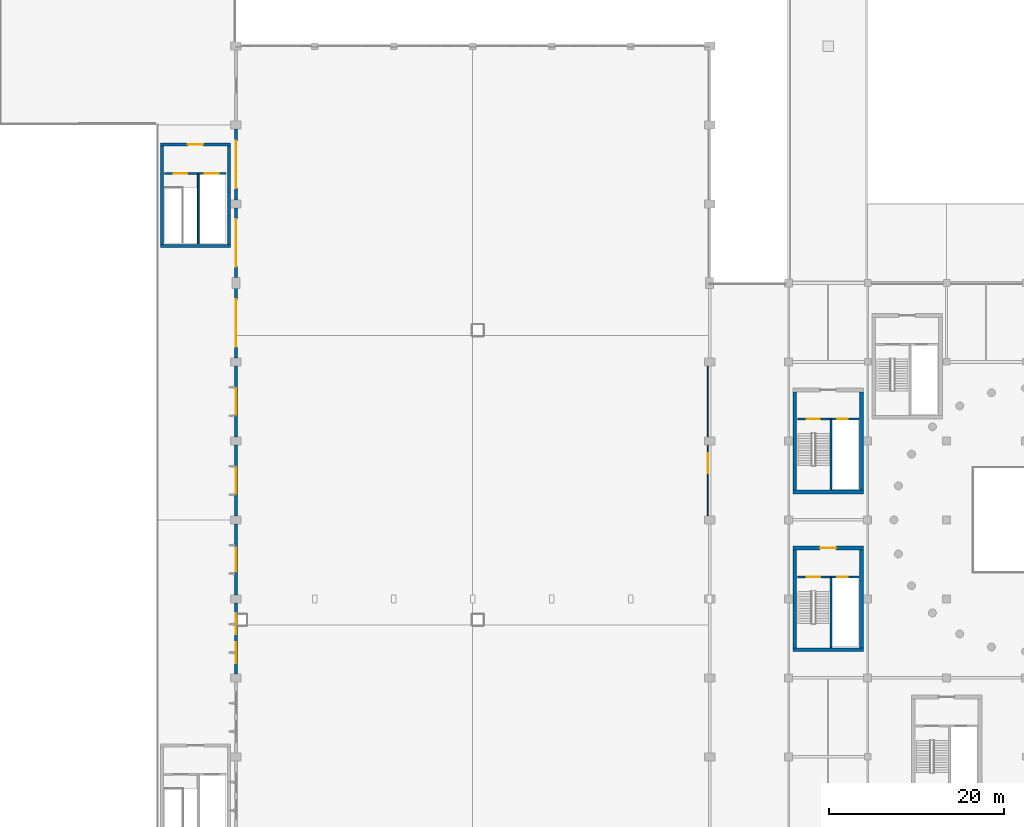
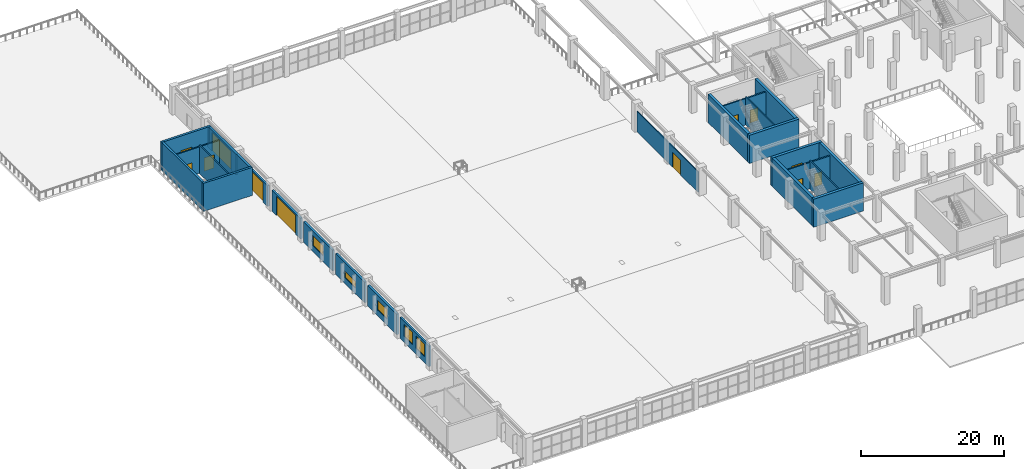
# One storey, part 62 of 89: 25 walls, 12 doors, 5 windows, 17 openings.
"""IFC4 building model written with IfcOpenShell, lengths in metres."""

from ifc_helpers import new_model, si_unit, direction, frame, frame_2d, origin, place, context, subcontext, project, spatial, rectangle, extrude, material, layer, layer_set, type_object, element, fill, save


model = new_model("IFC4")

# Units and contexts
model_context = context("Model", 3, precision=1e-05, world=origin(), true_north=direction((0.0, 1.0)))
body_context = subcontext(model_context, "Body", "Model", "MODEL_VIEW")
ifc_project = project(units=[si_unit("LENGTHUNIT", "METRE"), si_unit("AREAUNIT", "SQUARE_METRE"), si_unit("VOLUMEUNIT", "CUBIC_METRE"), si_unit("PLANEANGLEUNIT", "RADIAN"), si_unit("MASSUNIT", "GRAM", prefix="KILO")], contexts=[model_context])

# Site, building, storey
site_placement = place(None, origin())
site = spatial("IfcSite", under=ifc_project, at=site_placement, CompositionType="ELEMENT")
building_placement = place(site_placement, origin())
building = spatial("IfcBuilding", under=site, at=building_placement, Name="Dornveld Trade and Exhibition Forum", CompositionType="ELEMENT")
storey_placement = place(building_placement, frame((0.0, 0.0, 12.0)))
storey = spatial("IfcBuildingStorey", under=building, at=storey_placement, Name="L02", CompositionType="ELEMENT", Elevation=12.0)

# Wall
ifc_material_1 = material(Name="Concrete C40/50", Category="concrete")
ifc_layer_1 = layer(ifc_material_1, 0.35009765625)
ifc_layer_set_1 = layer_set([ifc_layer_1], Name="Concrete C40/50")
wall_type_1 = type_object("IfcWallType", Name="WL-CORE-350", PredefinedType="SHEAR", material=ifc_layer_set_1)
wall_1_placement = place(storey_placement, frame((18.425048828125, 112.199951171875, 0.0), z_axis=(0.0, 0.0, 1.0), x_axis=(1.0, 0.0, 0.0)))
element("IfcWall", 1, at=wall_1_placement, inside=storey, type_object=wall_type_1, Name="CORE-10 L02 shear wall S", PredefinedType="SHEAR", context=body_context, shape_type="SweptSolid", body=[
    extrude(rectangle(XDim=7.949951171875, YDim=0.35009765625, at=frame_2d((3.97509765625, 0.0))), origin(), (0.0, 0.0, 1.0), 4.800048828125),
])

# Wall, opening, door
wall_2_placement = place(storey_placement, frame((18.425048828125, 123.800048828125, 0.0), z_axis=(0.0, 0.0, 1.0), x_axis=(1.0, 0.0, 0.0)))
wall_2 = element("IfcWall", 2, at=wall_2_placement, inside=storey, type_object=wall_type_1, Name="CORE-10 L02 shear wall N", PredefinedType="SHEAR", context=body_context, shape_type="SweptSolid", body=[
    extrude(rectangle(XDim=7.949951171875, YDim=0.35009765625, at=frame_2d((3.97509765625, 0.0))), origin(), (0.0, 0.0, 1.0), 4.800048828125),
])
opening_1_placement = place(wall_2_placement, frame((3.10009765625, 0.0, 0.0)))
opening_1 = element("IfcOpeningElement", 3, at=opening_1_placement, cuts=wall_2, Name="Opening CD-10-L02", PredefinedType="OPENING", context=body_context, shape_type="SweptSolid", body=[
    extrude(rectangle(XDim=1.75, YDim=2.300048828125, at=frame_2d((0.875, 1.14990234375))), frame((0.0, 0.18505859375, 0.0), z_axis=(0.0, -1.0, 0.0), x_axis=(1.0, 0.0, 0.0)), (0.0, 0.0, 1.0), 0.3701171875),
])
ifc_material_2 = material(Name="Steel fire-rated double door assembly", Category="steel")
door_type_1 = type_object("IfcDoorType", Name="DR-CORE-175x230", OperationType="NOTDEFINED", PredefinedType="DOOR", material=ifc_material_2)
door_1_placement = place(opening_1_placement, origin())
door_1 = element("IfcDoor", 4, at=door_1_placement, inside=storey, type_object=door_type_1, Name="CORE-10 L02 core lobby double fire door", OperationType="DOUBLE_DOOR_SINGLE_SWING", OverallHeight=2.300048828125, OverallWidth=1.75, PredefinedType="DOOR", context=body_context, shape_type="SweptSolid", body=[
    extrude(rectangle(XDim=1.75, YDim=2.300048828125, at=frame_2d((0.875, 1.14990234375))), frame((0.0, 0.02490234375, 0.0), z_axis=(0.0, -1.0, 0.0), x_axis=(1.0, 0.0, 0.0)), (0.0, 0.0, 1.0), 0.050048828125),
])
fill(opening_1, door_1)

# Walls
for number, where, z_axis, x_axis, name in (
    (5, (18.60009765625, 112.375, 0.0), (0.0, 0.0, 1.0), (0.0, 1.0, 0.0), "CORE-10 L02 shear wall W"),
    (6, (26.199951171875, 112.375, 0.0), (0.0, 0.0, 1.0), (0.0, 1.0, 0.0), "CORE-10 L02 shear wall E"),
):
    element("IfcWall", number, at=place(storey_placement, frame(where, z_axis=z_axis, x_axis=x_axis)), inside=storey, type_object=wall_type_1, Name=name, PredefinedType="SHEAR", context=body_context, shape_type="SweptSolid", body=[
        extrude(rectangle(XDim=11.25, YDim=0.35009765625, at=frame_2d((5.625, 0.0))), origin(), (0.0, 0.0, 1.0), 4.800048828125),
    ])
ifc_material_3 = material(Name="Concrete C40/50", Category="concrete")
ifc_layer_2 = layer(ifc_material_3, 0.449951171875)
ifc_layer_set_2 = layer_set([ifc_layer_2], Name="Concrete C40/50")
wall_type_2 = type_object("IfcWallType", Name="WL-CORE-450", PredefinedType="SHEAR", material=ifc_layer_set_2)
wall_3_placement = place(storey_placement, frame((90.47509765625, 84.199951171875, 0.0), z_axis=(0.0, 0.0, 1.0), x_axis=(1.0, 0.0, 0.0)))
element("IfcWall", 7, at=wall_3_placement, inside=storey, type_object=wall_type_2, Name="CORE-04 L02 shear wall S", PredefinedType="SHEAR", context=body_context, shape_type="SweptSolid", body=[
    extrude(rectangle(XDim=8.0498046875, YDim=0.449951171875, at=frame_2d((4.02490234375, 0.0))), origin(), (0.0, 0.0, 1.0), 4.800048828125),
])
for number, where, z_axis, x_axis, name in (
    (8, (90.699951171875, 84.425048828125, 0.0), (0.0, 0.0, 1.0), (0.0, 1.0, 0.0), "CORE-04 L02 shear wall W"),
    (9, (98.300048828125, 84.425048828125, 0.0), (0.0, 0.0, 1.0), (0.0, 1.0, 0.0), "CORE-04 L02 shear wall E"),
):
    element("IfcWall", number, at=place(storey_placement, frame(where, z_axis=z_axis, x_axis=x_axis)), inside=storey, type_object=wall_type_2, Name=name, PredefinedType="SHEAR", context=body_context, shape_type="SweptSolid", body=[
        extrude(rectangle(XDim=11.14990234375, YDim=0.449951171875, at=frame_2d((5.574951171875, 0.0))), origin(), (0.0, 0.0, 1.0), 4.800048828125),
    ])
wall_4_placement = place(storey_placement, frame((90.47509765625, 66.199951171875, 0.0), z_axis=(0.0, 0.0, 1.0), x_axis=(1.0, 0.0, 0.0)))
element("IfcWall", 10, at=wall_4_placement, inside=storey, type_object=wall_type_2, Name="CORE-05 L02 shear wall S", PredefinedType="SHEAR", context=body_context, shape_type="SweptSolid", body=[
    extrude(rectangle(XDim=8.0498046875, YDim=0.449951171875, at=frame_2d((4.02490234375, 0.0))), origin(), (0.0, 0.0, 1.0), 4.800048828125),
])

# Wall, opening, door
wall_5_placement = place(storey_placement, frame((90.47509765625, 77.800048828125, 0.0), z_axis=(0.0, 0.0, 1.0), x_axis=(1.0, 0.0, 0.0)))
wall_5 = element("IfcWall", 11, at=wall_5_placement, inside=storey, type_object=wall_type_2, Name="CORE-05 L02 shear wall N", PredefinedType="SHEAR", context=body_context, shape_type="SweptSolid", body=[
    extrude(rectangle(XDim=8.0498046875, YDim=0.449951171875, at=frame_2d((4.02490234375, 0.0))), origin(), (0.0, 0.0, 1.0), 4.800048828125),
])
opening_2_placement = place(wall_5_placement, frame((3.125, 0.0, 0.0)))
opening_2 = element("IfcOpeningElement", 12, at=opening_2_placement, cuts=wall_5, Name="Opening CD-05-L02", PredefinedType="OPENING", context=body_context, shape_type="SweptSolid", body=[
    extrude(rectangle(XDim=1.800048828125, YDim=2.300048828125, at=frame_2d((0.89990234375, 1.14990234375))), frame((0.0, 0.23486328125, 0.0), z_axis=(0.0, -1.0, 0.0), x_axis=(1.0, 0.0, 0.0)), (0.0, 0.0, 1.0), 0.469970703125),
])
ifc_material_4 = material(Name="Steel fire-rated double door assembly", Category="steel")
door_type_2 = type_object("IfcDoorType", Name="DR-CORE-180x230", OperationType="NOTDEFINED", PredefinedType="DOOR", material=ifc_material_4)
door_2_placement = place(opening_2_placement, origin())
door_2 = element("IfcDoor", 13, at=door_2_placement, inside=storey, type_object=door_type_2, Name="CORE-05 L02 core lobby double fire door", OperationType="DOUBLE_DOOR_SINGLE_SWING", OverallHeight=2.300048828125, OverallWidth=1.800048828125, PredefinedType="DOOR", context=body_context, shape_type="SweptSolid", body=[
    extrude(rectangle(XDim=1.800048828125, YDim=2.300048828125, at=frame_2d((0.89990234375, 1.14990234375))), frame((0.0, 0.02490234375, 0.0), z_axis=(0.0, -1.0, 0.0), x_axis=(1.0, 0.0, 0.0)), (0.0, 0.0, 1.0), 0.050048828125),
])
fill(opening_2, door_2)

# Walls
for number, where, z_axis, x_axis, name in (
    (14, (90.699951171875, 66.425048828125, 0.0), (0.0, 0.0, 1.0), (0.0, 1.0, 0.0), "CORE-05 L02 shear wall W"),
    (15, (98.300048828125, 66.425048828125, 0.0), (0.0, 0.0, 1.0), (0.0, 1.0, 0.0), "CORE-05 L02 shear wall E"),
):
    element("IfcWall", number, at=place(storey_placement, frame(where, z_axis=z_axis, x_axis=x_axis)), inside=storey, type_object=wall_type_2, Name=name, PredefinedType="SHEAR", context=body_context, shape_type="SweptSolid", body=[
        extrude(rectangle(XDim=11.14990234375, YDim=0.449951171875, at=frame_2d((5.574951171875, 0.0))), origin(), (0.0, 0.0, 1.0), 4.800048828125),
    ])

# Wall, openings, windows
ifc_material_5 = material(Name="Precast concrete C50/60", Category="concrete")
ifc_layer_3 = layer(ifc_material_5, 0.340087890625)
ifc_layer_set_3 = layer_set([ifc_layer_3], Name="Precast concrete C50/60")
wall_type_3 = type_object("IfcWallType", Name="WL-EXT-PC340", PredefinedType="SOLIDWALL", material=ifc_layer_set_3)
wall_6_placement = place(storey_placement, frame((27.0, 71.550537109375, 0.0), z_axis=(0.0, 0.0, 1.0), x_axis=(0.0, -1.0, 0.0)))
wall_6 = element("IfcWall", 16, at=wall_6_placement, inside=storey, type_object=wall_type_3, Name="L02 precast facade wall 50", PredefinedType="SOLIDWALL", context=body_context, shape_type="SweptSolid", body=[
    extrude(rectangle(XDim=8.10107421875, YDim=0.340087890625, at=frame_2d((4.050537109375, 0.0))), origin(), (0.0, 0.0, 1.0), 3.5400390625),
])
opening_3_placement = place(wall_6_placement, frame((1.200439453125, 0.0, 1.0)))
opening_3 = element("IfcOpeningElement", 17, at=opening_3_placement, cuts=wall_6, Name="Opening W-34", PredefinedType="OPENING", context=body_context, shape_type="SweptSolid", body=[
    extrude(rectangle(XDim=2.39990234375, YDim=2.10009765625, at=frame_2d((1.199951171875, 1.050048828125))), frame((0.0, 0.179931640625, 0.0), z_axis=(0.0, -1.0, 0.0), x_axis=(1.0, 0.0, 0.0)), (0.0, 0.0, 1.0), 0.360107421875),
])
opening_4_placement = place(wall_6_placement, frame((4.50048828125, 0.0, 1.0)))
opening_4 = element("IfcOpeningElement", 18, at=opening_4_placement, cuts=wall_6, Name="Opening W-34", PredefinedType="OPENING", context=body_context, shape_type="SweptSolid", body=[
    extrude(rectangle(XDim=2.39990234375, YDim=2.10009765625, at=frame_2d((1.199951171875, 1.050048828125))), frame((0.0, 0.179931640625, 0.0), z_axis=(0.0, -1.0, 0.0), x_axis=(1.0, 0.0, 0.0)), (0.0, 0.0, 1.0), 0.360107421875),
])
ifc_material_6 = material(Name="Dark-bronze anodised aluminium and low-E glass", Category="aluminium")
window_type_1 = type_object("IfcWindowType", Name="WIN-AL-34", PartitioningType="DOUBLE_PANEL_VERTICAL", PredefinedType="WINDOW", material=ifc_material_6)
window_1_placement = place(opening_3_placement, origin())
window_1 = element("IfcWindow", 19, at=window_1_placement, inside=storey, type_object=window_type_1, Name="L02 facade window 34", OverallHeight=2.10009765625, OverallWidth=2.39990234375, PartitioningType="SINGLE_PANEL", PredefinedType="WINDOW", context=body_context, shape_type="SweptSolid", body=[
    extrude(rectangle(XDim=2.39990234375, YDim=2.10009765625, at=frame_2d((1.199951171875, 1.050048828125))), frame((0.0, 0.030029296875, 0.0), z_axis=(0.0, -1.0, 0.0), x_axis=(1.0, 0.0, 0.0)), (0.0, 0.0, 1.0), 0.06005859375),
])
fill(opening_3, window_1)
window_2_placement = place(opening_4_placement, origin())
window_2 = element("IfcWindow", 20, at=window_2_placement, inside=storey, type_object=window_type_1, Name="L02 facade window 35", OverallHeight=2.10009765625, OverallWidth=2.39990234375, PartitioningType="SINGLE_PANEL", PredefinedType="WINDOW", context=body_context, shape_type="SweptSolid", body=[
    extrude(rectangle(XDim=2.39990234375, YDim=2.10009765625, at=frame_2d((1.199951171875, 1.050048828125))), frame((0.0, 0.030029296875, 0.0), z_axis=(0.0, -1.0, 0.0), x_axis=(1.0, 0.0, 0.0)), (0.0, 0.0, 1.0), 0.06005859375),
])
fill(opening_4, window_2)

# Wall, opening, window
wall_7_placement = place(storey_placement, frame((27.0, 80.550537109375, 0.0), z_axis=(0.0, 0.0, 1.0), x_axis=(0.0, -1.0, 0.0)))
wall_7 = element("IfcWall", 21, at=wall_7_placement, inside=storey, type_object=wall_type_3, Name="L02 precast facade wall 54", PredefinedType="SOLIDWALL", context=body_context, shape_type="SweptSolid", body=[
    extrude(rectangle(XDim=8.10107421875, YDim=0.340087890625, at=frame_2d((4.050537109375, 0.0))), origin(), (0.0, 0.0, 1.0), 3.5400390625),
])
opening_5_placement = place(wall_7_placement, frame((2.700439453125, 0.0, 1.0)))
opening_5 = element("IfcOpeningElement", 22, at=opening_5_placement, cuts=wall_7, Name="Opening W-39", PredefinedType="OPENING", context=body_context, shape_type="SweptSolid", body=[
    extrude(rectangle(XDim=2.699951171875, YDim=1.699951171875, at=frame_2d((1.35009765625, 0.85009765625))), frame((0.0, 0.179931640625, 0.0), z_axis=(0.0, -1.0, 0.0), x_axis=(1.0, 0.0, 0.0)), (0.0, 0.0, 1.0), 0.360107421875),
])
ifc_material_7 = material(Name="Dark-bronze anodised aluminium and low-E glass", Category="aluminium")
window_type_2 = type_object("IfcWindowType", Name="WIN-AL-39", PartitioningType="DOUBLE_PANEL_VERTICAL", PredefinedType="WINDOW", material=ifc_material_7)
window_3_placement = place(opening_5_placement, origin())
window_3 = element("IfcWindow", 23, at=window_3_placement, inside=storey, type_object=window_type_2, Name="L02 facade window 39", OverallHeight=1.699951171875, OverallWidth=2.699951171875, PartitioningType="SINGLE_PANEL", PredefinedType="WINDOW", context=body_context, shape_type="SweptSolid", body=[
    extrude(rectangle(XDim=2.699951171875, YDim=1.699951171875, at=frame_2d((1.35009765625, 0.85009765625))), frame((0.0, 0.030029296875, 0.0), z_axis=(0.0, -1.0, 0.0), x_axis=(1.0, 0.0, 0.0)), (0.0, 0.0, 1.0), 0.06005859375),
])
fill(opening_5, window_3)

wall_8_placement = place(storey_placement, frame((27.0, 89.550537109375, 0.0), z_axis=(0.0, 0.0, 1.0), x_axis=(0.0, -1.0, 0.0)))
wall_8 = element("IfcWall", 24, at=wall_8_placement, inside=storey, type_object=wall_type_3, Name="L02 precast facade wall 58", PredefinedType="SOLIDWALL", context=body_context, shape_type="SweptSolid", body=[
    extrude(rectangle(XDim=8.10107421875, YDim=0.340087890625, at=frame_2d((4.050537109375, 0.0))), origin(), (0.0, 0.0, 1.0), 3.5400390625),
])
opening_6_placement = place(wall_8_placement, frame((2.550537109375, 0.0, 1.0)))
opening_6 = element("IfcOpeningElement", 25, at=opening_6_placement, cuts=wall_8, Name="Opening W-43", PredefinedType="OPENING", context=body_context, shape_type="SweptSolid", body=[
    extrude(rectangle(XDim=3.0, YDim=1.10009765625, at=frame_2d((1.5, 0.550048828125))), frame((0.0, 0.179931640625, 0.0), z_axis=(0.0, -1.0, 0.0), x_axis=(1.0, 0.0, 0.0)), (0.0, 0.0, 1.0), 0.360107421875),
])
ifc_material_8 = material(Name="Dark-bronze anodised aluminium and low-E glass", Category="aluminium")
window_type_3 = type_object("IfcWindowType", Name="WIN-AL-43", PartitioningType="DOUBLE_PANEL_VERTICAL", PredefinedType="WINDOW", material=ifc_material_8)
window_4_placement = place(opening_6_placement, origin())
window_4 = element("IfcWindow", 26, at=window_4_placement, inside=storey, type_object=window_type_3, Name="L02 facade window 43", OverallHeight=1.10009765625, OverallWidth=3.0, PartitioningType="SINGLE_PANEL", PredefinedType="WINDOW", context=body_context, shape_type="SweptSolid", body=[
    extrude(rectangle(XDim=3.0, YDim=1.10009765625, at=frame_2d((1.5, 0.550048828125))), frame((0.0, 0.030029296875, 0.0), z_axis=(0.0, -1.0, 0.0), x_axis=(1.0, 0.0, 0.0)), (0.0, 0.0, 1.0), 0.06005859375),
])
fill(opening_6, window_4)

wall_9_placement = place(storey_placement, frame((27.0, 98.550537109375, 0.0), z_axis=(0.0, 0.0, 1.0), x_axis=(0.0, -1.0, 0.0)))
wall_9 = element("IfcWall", 27, at=wall_9_placement, inside=storey, type_object=wall_type_3, Name="L02 precast facade wall 62", PredefinedType="SOLIDWALL", context=body_context, shape_type="SweptSolid", body=[
    extrude(rectangle(XDim=8.10107421875, YDim=0.340087890625, at=frame_2d((4.050537109375, 0.0))), origin(), (0.0, 0.0, 1.0), 3.5400390625),
])
opening_7_placement = place(wall_9_placement, frame((2.550537109375, 0.0, 1.0)))
opening_7 = element("IfcOpeningElement", 28, at=opening_7_placement, cuts=wall_9, Name="Opening W-46", PredefinedType="OPENING", context=body_context, shape_type="SweptSolid", body=[
    extrude(rectangle(XDim=3.0, YDim=1.699951171875, at=frame_2d((1.5, 0.85009765625))), frame((0.0, 0.179931640625, 0.0), z_axis=(0.0, -1.0, 0.0), x_axis=(1.0, 0.0, 0.0)), (0.0, 0.0, 1.0), 0.360107421875),
])
ifc_material_9 = material(Name="Dark-bronze anodised aluminium and low-E glass", Category="aluminium")
window_type_4 = type_object("IfcWindowType", Name="WIN-AL-46", PartitioningType="DOUBLE_PANEL_VERTICAL", PredefinedType="WINDOW", material=ifc_material_9)
window_5_placement = place(opening_7_placement, origin())
window_5 = element("IfcWindow", 29, at=window_5_placement, inside=storey, type_object=window_type_4, Name="L02 facade window 46", OverallHeight=1.699951171875, OverallWidth=3.0, PartitioningType="SINGLE_PANEL", PredefinedType="WINDOW", context=body_context, shape_type="SweptSolid", body=[
    extrude(rectangle(XDim=3.0, YDim=1.699951171875, at=frame_2d((1.5, 0.85009765625))), frame((0.0, 0.030029296875, 0.0), z_axis=(0.0, -1.0, 0.0), x_axis=(1.0, 0.0, 0.0)), (0.0, 0.0, 1.0), 0.06005859375),
])
fill(opening_7, window_5)

# Wall, opening, door
wall_10_placement = place(storey_placement, frame((27.0, 107.400390625, 0.0), z_axis=(0.0, 0.0, 1.0), x_axis=(0.0, -1.0, 0.0)))
wall_10 = element("IfcWall", 30, at=wall_10_placement, inside=storey, type_object=wall_type_3, Name="L02 precast facade wall 66", PredefinedType="SOLIDWALL", context=body_context, shape_type="SweptSolid", body=[
    extrude(rectangle(XDim=7.950927734375, YDim=0.340087890625, at=frame_2d((3.9755859375, 0.0))), origin(), (0.0, 0.0, 1.0), 3.5400390625),
])
opening_8_placement = place(wall_10_placement, frame((1.275390625, 0.0, 0.0)))
opening_8 = element("IfcOpeningElement", 31, at=opening_8_placement, cuts=wall_10, Name="Opening VG-03", PredefinedType="OPENING", context=body_context, shape_type="SweptSolid", body=[
    extrude(rectangle(XDim=5.39990234375, YDim=3.2900390625, at=frame_2d((2.699951171875, 1.64501953125))), frame((0.0, 0.179931640625, 0.0), z_axis=(0.0, -1.0, 0.0), x_axis=(1.0, 0.0, 0.0)), (0.0, 0.0, 1.0), 0.360107421875),
])
ifc_material_10 = material(Name="Galvanised insulated steel", Category="steel")
door_type_3 = type_object("IfcDoorType", Name="DR-GATE-540x440", OperationType="NOTDEFINED", PredefinedType="GATE", material=ifc_material_10)
door_3_placement = place(opening_8_placement, frame((5.39990234375, 0.0, 0.0), z_axis=(0.0, 0.0, 1.0), x_axis=(-1.0, 0.0, 0.0)))
door_3 = element("IfcDoor", 32, at=door_3_placement, inside=storey, type_object=door_type_3, Name="Heavy vehicle roller-shutter gate VG-03", OperationType="ROLLINGUP", OverallHeight=3.2900390625, OverallWidth=5.39990234375, PredefinedType="GATE", context=body_context, shape_type="SweptSolid", body=[
    extrude(rectangle(XDim=5.39990234375, YDim=3.2900390625, at=frame_2d((2.699951171875, 1.64501953125))), frame((0.0, 0.02490234375, 0.0), z_axis=(0.0, -1.0, 0.0), x_axis=(1.0, 0.0, 0.0)), (0.0, 0.0, 1.0), 0.050048828125),
])
fill(opening_8, door_3)

wall_11_placement = place(storey_placement, frame((27.0, 116.550537109375, 0.0), z_axis=(0.0, 0.0, 1.0), x_axis=(0.0, -1.0, 0.0)))
wall_11 = element("IfcWall", 33, at=wall_11_placement, inside=storey, type_object=wall_type_3, Name="L02 precast facade wall 70", PredefinedType="SOLIDWALL", context=body_context, shape_type="SweptSolid", body=[
    extrude(rectangle(XDim=7.950927734375, YDim=0.340087890625, at=frame_2d((3.9755859375, 0.0))), origin(), (0.0, 0.0, 1.0), 3.5400390625),
])
opening_9_placement = place(wall_11_placement, frame((1.275390625, 0.0, 0.0)))
opening_9 = element("IfcOpeningElement", 34, at=opening_9_placement, cuts=wall_11, Name="Opening VG-04", PredefinedType="OPENING", context=body_context, shape_type="SweptSolid", body=[
    extrude(rectangle(XDim=5.39990234375, YDim=3.2900390625, at=frame_2d((2.699951171875, 1.64501953125))), frame((0.0, 0.179931640625, 0.0), z_axis=(0.0, -1.0, 0.0), x_axis=(1.0, 0.0, 0.0)), (0.0, 0.0, 1.0), 0.360107421875),
])
door_4_placement = place(opening_9_placement, frame((5.39990234375, 0.0, 0.0), z_axis=(0.0, 0.0, 1.0), x_axis=(-1.0, 0.0, 0.0)))
door_4 = element("IfcDoor", 35, at=door_4_placement, inside=storey, type_object=door_type_3, Name="Heavy vehicle roller-shutter gate VG-04", OperationType="ROLLINGUP", OverallHeight=3.2900390625, OverallWidth=5.39990234375, PredefinedType="GATE", context=body_context, shape_type="SweptSolid", body=[
    extrude(rectangle(XDim=5.39990234375, YDim=3.2900390625, at=frame_2d((2.699951171875, 1.64501953125))), frame((0.0, 0.02490234375, 0.0), z_axis=(0.0, -1.0, 0.0), x_axis=(1.0, 0.0, 0.0)), (0.0, 0.0, 1.0), 0.050048828125),
])
fill(opening_9, door_4)

wall_12_placement = place(storey_placement, frame((27.0, 125.550537109375, 0.0), z_axis=(0.0, 0.0, 1.0), x_axis=(0.0, -1.0, 0.0)))
wall_12 = element("IfcWall", 36, at=wall_12_placement, inside=storey, type_object=wall_type_3, Name="L02 precast facade wall 74", PredefinedType="SOLIDWALL", context=body_context, shape_type="SweptSolid", body=[
    extrude(rectangle(XDim=8.10107421875, YDim=0.340087890625, at=frame_2d((4.050537109375, 0.0))), origin(), (0.0, 0.0, 1.0), 3.5400390625),
])
opening_10_placement = place(wall_12_placement, frame((1.3505859375, 0.0, 0.0)))
opening_10 = element("IfcOpeningElement", 37, at=opening_10_placement, cuts=wall_12, Name="Opening VG-05", PredefinedType="OPENING", context=body_context, shape_type="SweptSolid", body=[
    extrude(rectangle(XDim=5.39990234375, YDim=3.2900390625, at=frame_2d((2.699951171875, 1.64501953125))), frame((0.0, 0.179931640625, 0.0), z_axis=(0.0, -1.0, 0.0), x_axis=(1.0, 0.0, 0.0)), (0.0, 0.0, 1.0), 0.360107421875),
])
door_5_placement = place(opening_10_placement, frame((5.39990234375, 0.0, 0.0), z_axis=(0.0, 0.0, 1.0), x_axis=(-1.0, 0.0, 0.0)))
door_5 = element("IfcDoor", 38, at=door_5_placement, inside=storey, type_object=door_type_3, Name="Heavy vehicle roller-shutter gate VG-05", OperationType="ROLLINGUP", OverallHeight=3.2900390625, OverallWidth=5.39990234375, PredefinedType="GATE", context=body_context, shape_type="SweptSolid", body=[
    extrude(rectangle(XDim=5.39990234375, YDim=3.2900390625, at=frame_2d((2.699951171875, 1.64501953125))), frame((0.0, 0.02490234375, 0.0), z_axis=(0.0, -1.0, 0.0), x_axis=(1.0, 0.0, 0.0)), (0.0, 0.0, 1.0), 0.050048828125),
])
fill(opening_10, door_5)

# Wall, openings, doors
ifc_material_11 = material(Name="Concrete C40/50", Category="concrete")
ifc_layer_4 = layer(ifc_material_11, 0.219970703125)
ifc_layer_set_4 = layer_set([ifc_layer_4], Name="Concrete C40/50")
wall_type_4 = type_object("IfcWallType", Name="WL-INT-LOB220", PredefinedType="SOLIDWALL", material=ifc_layer_set_4)
wall_13_placement = place(storey_placement, frame((91.0, 92.5, 0.0), z_axis=(0.0, 0.0, 1.0), x_axis=(1.0, 0.0, 0.0)))
wall_13 = element("IfcWall", 39, at=wall_13_placement, inside=storey, type_object=wall_type_4, Name="CORE-04 L02 protected lobby bulkhead wall", PredefinedType="SOLIDWALL", context=body_context, shape_type="SweptSolid", body=[
    extrude(rectangle(XDim=7.0, YDim=0.219970703125, at=frame_2d((3.5, 0.0))), origin(), (0.0, 0.0, 1.0), 4.5),
])
opening_11_placement = place(wall_13_placement, frame((1.050048828125, 0.0, 0.0)))
opening_11 = element("IfcOpeningElement", 40, at=opening_11_placement, cuts=wall_13, Name="Opening SD-04-L02", PredefinedType="OPENING", context=body_context, shape_type="SweptSolid", body=[
    extrude(rectangle(XDim=1.5, YDim=2.199951171875, at=frame_2d((0.75, 1.10009765625))), frame((0.0, 0.119873046875, 0.0), z_axis=(0.0, -1.0, 0.0), x_axis=(1.0, 0.0, 0.0)), (0.0, 0.0, 1.0), 0.239990234375),
])
opening_12_placement = place(wall_13_placement, frame((4.550048828125, 0.0, 0.0)))
opening_12 = element("IfcOpeningElement", 41, at=opening_12_placement, cuts=wall_13, Name="Opening LD-04-L02", PredefinedType="OPENING", context=body_context, shape_type="SweptSolid", body=[
    extrude(rectangle(XDim=1.199951171875, YDim=2.199951171875, at=frame_2d((0.60009765625, 1.10009765625))), frame((0.0, 0.119873046875, 0.0), z_axis=(0.0, -1.0, 0.0), x_axis=(1.0, 0.0, 0.0)), (0.0, 0.0, 1.0), 0.239990234375),
])
ifc_material_12 = material(Name="Brushed stainless steel sliding lift landing door", Category="steel")
door_type_4 = type_object("IfcDoorType", Name="DR-LIFT-120x220", OperationType="NOTDEFINED", PredefinedType="DOOR", material=ifc_material_12)
door_6_placement = place(opening_12_placement, origin())
door_6 = element("IfcDoor", 42, at=door_6_placement, inside=storey, type_object=door_type_4, Name="CORE-04 L02 lift sliding landing door", OperationType="SLIDING_TO_RIGHT", OverallHeight=2.199951171875, OverallWidth=1.199951171875, PredefinedType="DOOR", context=body_context, shape_type="SweptSolid", body=[
    extrude(rectangle(XDim=1.199951171875, YDim=2.199951171875, at=frame_2d((0.60009765625, 1.10009765625))), frame((0.0, 0.02490234375, 0.0), z_axis=(0.0, -1.0, 0.0), x_axis=(1.0, 0.0, 0.0)), (0.0, 0.0, 1.0), 0.050048828125),
])
fill(opening_12, door_6)
ifc_material_13 = material(Name="Steel fire-rated stair door assembly", Category="steel")
door_type_5 = type_object("IfcDoorType", Name="DR-STAIR-150x220", OperationType="NOTDEFINED", PredefinedType="DOOR", material=ifc_material_13)
door_7_placement = place(opening_11_placement, origin())
door_7 = element("IfcDoor", 43, at=door_7_placement, inside=storey, type_object=door_type_5, Name="CORE-04 L02 protected stair door", OperationType="SINGLE_SWING_RIGHT", OverallHeight=2.199951171875, OverallWidth=1.5, PredefinedType="DOOR", context=body_context, shape_type="SweptSolid", body=[
    extrude(rectangle(XDim=1.5, YDim=2.199951171875, at=frame_2d((0.75, 1.10009765625))), frame((0.0, 0.02490234375, 0.0), z_axis=(0.0, -1.0, 0.0), x_axis=(1.0, 0.0, 0.0)), (0.0, 0.0, 1.0), 0.050048828125),
])
fill(opening_11, door_7)

wall_14_placement = place(storey_placement, frame((91.0, 74.5, 0.0), z_axis=(0.0, 0.0, 1.0), x_axis=(1.0, 0.0, 0.0)))
wall_14 = element("IfcWall", 44, at=wall_14_placement, inside=storey, type_object=wall_type_4, Name="CORE-05 L02 protected lobby bulkhead wall", PredefinedType="SOLIDWALL", context=body_context, shape_type="SweptSolid", body=[
    extrude(rectangle(XDim=7.0, YDim=0.219970703125, at=frame_2d((3.5, 0.0))), origin(), (0.0, 0.0, 1.0), 4.5),
])
opening_13_placement = place(wall_14_placement, frame((1.050048828125, 0.0, 0.0)))
opening_13 = element("IfcOpeningElement", 45, at=opening_13_placement, cuts=wall_14, Name="Opening SD-05-L02", PredefinedType="OPENING", context=body_context, shape_type="SweptSolid", body=[
    extrude(rectangle(XDim=1.550048828125, YDim=2.199951171875, at=frame_2d((0.77490234375, 1.10009765625))), frame((0.0, 0.119873046875, 0.0), z_axis=(0.0, -1.0, 0.0), x_axis=(1.0, 0.0, 0.0)), (0.0, 0.0, 1.0), 0.239990234375),
])
opening_14_placement = place(wall_14_placement, frame((4.550048828125, 0.0, 0.0)))
opening_14 = element("IfcOpeningElement", 46, at=opening_14_placement, cuts=wall_14, Name="Opening LD-05-L02", PredefinedType="OPENING", context=body_context, shape_type="SweptSolid", body=[
    extrude(rectangle(XDim=1.199951171875, YDim=2.199951171875, at=frame_2d((0.60009765625, 1.10009765625))), frame((0.0, 0.119873046875, 0.0), z_axis=(0.0, -1.0, 0.0), x_axis=(1.0, 0.0, 0.0)), (0.0, 0.0, 1.0), 0.239990234375),
])
door_8_placement = place(opening_14_placement, origin())
door_8 = element("IfcDoor", 47, at=door_8_placement, inside=storey, type_object=door_type_4, Name="CORE-05 L02 lift sliding landing door", OperationType="SLIDING_TO_LEFT", OverallHeight=2.199951171875, OverallWidth=1.199951171875, PredefinedType="DOOR", context=body_context, shape_type="SweptSolid", body=[
    extrude(rectangle(XDim=1.199951171875, YDim=2.199951171875, at=frame_2d((0.60009765625, 1.10009765625))), frame((0.0, 0.02490234375, 0.0), z_axis=(0.0, -1.0, 0.0), x_axis=(1.0, 0.0, 0.0)), (0.0, 0.0, 1.0), 0.050048828125),
])
fill(opening_14, door_8)
ifc_material_14 = material(Name="Steel fire-rated stair door assembly", Category="steel")
door_type_6 = type_object("IfcDoorType", Name="DR-STAIR-155x220", OperationType="NOTDEFINED", PredefinedType="DOOR", material=ifc_material_14)
door_9_placement = place(opening_13_placement, origin())
door_9 = element("IfcDoor", 48, at=door_9_placement, inside=storey, type_object=door_type_6, Name="CORE-05 L02 protected stair door", OperationType="SINGLE_SWING_LEFT", OverallHeight=2.199951171875, OverallWidth=1.550048828125, PredefinedType="DOOR", context=body_context, shape_type="SweptSolid", body=[
    extrude(rectangle(XDim=1.550048828125, YDim=2.199951171875, at=frame_2d((0.77490234375, 1.10009765625))), frame((0.0, 0.02490234375, 0.0), z_axis=(0.0, -1.0, 0.0), x_axis=(1.0, 0.0, 0.0)), (0.0, 0.0, 1.0), 0.050048828125),
])
fill(opening_13, door_9)

wall_15_placement = place(storey_placement, frame((18.89990234375, 120.5, 0.0), z_axis=(0.0, 0.0, 1.0), x_axis=(1.0, 0.0, 0.0)))
wall_15 = element("IfcWall", 49, at=wall_15_placement, inside=storey, type_object=wall_type_4, Name="CORE-10 L02 protected lobby bulkhead wall", PredefinedType="SOLIDWALL", context=body_context, shape_type="SweptSolid", body=[
    extrude(rectangle(XDim=7.0, YDim=0.219970703125, at=frame_2d((3.5, 0.0))), origin(), (0.0, 0.0, 1.0), 4.5),
])
opening_15_placement = place(wall_15_placement, frame((1.050048828125, 0.0, 0.0)))
opening_15 = element("IfcOpeningElement", 50, at=opening_15_placement, cuts=wall_15, Name="Opening SD-10-L02", PredefinedType="OPENING", context=body_context, shape_type="SweptSolid", body=[
    extrude(rectangle(XDim=1.5, YDim=2.199951171875, at=frame_2d((0.75, 1.10009765625))), frame((0.0, 0.119873046875, 0.0), z_axis=(0.0, -1.0, 0.0), x_axis=(1.0, 0.0, 0.0)), (0.0, 0.0, 1.0), 0.239990234375),
])
opening_16_placement = place(wall_15_placement, frame((4.550048828125, 0.0, 0.0)))
opening_16 = element("IfcOpeningElement", 51, at=opening_16_placement, cuts=wall_15, Name="Opening LD-10-L02", PredefinedType="OPENING", context=body_context, shape_type="SweptSolid", body=[
    extrude(rectangle(XDim=1.60009765625, YDim=2.300048828125, at=frame_2d((0.800048828125, 1.14990234375))), frame((0.0, 0.119873046875, 0.0), z_axis=(0.0, -1.0, 0.0), x_axis=(1.0, 0.0, 0.0)), (0.0, 0.0, 1.0), 0.239990234375),
])
ifc_material_15 = material(Name="Heavy-duty steel sliding freight lift landing door", Category="steel")
door_type_7 = type_object("IfcDoorType", Name="DR-LIFT-160x230", OperationType="NOTDEFINED", PredefinedType="DOOR", material=ifc_material_15)
door_10_placement = place(opening_16_placement, origin())
door_10 = element("IfcDoor", 52, at=door_10_placement, inside=storey, type_object=door_type_7, Name="CORE-10 L02 lift sliding landing door", OperationType="SLIDING_TO_RIGHT", OverallHeight=2.300048828125, OverallWidth=1.60009765625, PredefinedType="DOOR", context=body_context, shape_type="SweptSolid", body=[
    extrude(rectangle(XDim=1.60009765625, YDim=2.300048828125, at=frame_2d((0.800048828125, 1.14990234375))), frame((0.0, 0.02490234375, 0.0), z_axis=(0.0, -1.0, 0.0), x_axis=(1.0, 0.0, 0.0)), (0.0, 0.0, 1.0), 0.050048828125),
])
fill(opening_16, door_10)
door_11_placement = place(opening_15_placement, origin())
door_11 = element("IfcDoor", 53, at=door_11_placement, inside=storey, type_object=door_type_5, Name="CORE-10 L02 protected stair door", OperationType="SINGLE_SWING_RIGHT", OverallHeight=2.199951171875, OverallWidth=1.5, PredefinedType="DOOR", context=body_context, shape_type="SweptSolid", body=[
    extrude(rectangle(XDim=1.5, YDim=2.199951171875, at=frame_2d((0.75, 1.10009765625))), frame((0.0, 0.02490234375, 0.0), z_axis=(0.0, -1.0, 0.0), x_axis=(1.0, 0.0, 0.0)), (0.0, 0.0, 1.0), 0.050048828125),
])
fill(opening_15, door_11)

# Walls
ifc_material_16 = material(Name="Concrete C40/50", Category="concrete")
ifc_layer_5 = layer(ifc_material_16, 0.199951171875)
ifc_layer_set_5 = layer_set([ifc_layer_5], Name="Concrete C40/50")
wall_type_5 = type_object("IfcWallType", Name="WL-INT-SHAFT200", PredefinedType="SOLIDWALL", material=ifc_layer_set_5)
for number, where, z_axis, x_axis, name in (
    (54, (94.820068359375, 84.449951171875, 0.0), (0.0, 0.0, 1.0), (0.0, 1.0, 0.0), "CORE-04 L02 lift-stair structural shaft wall"),
    (55, (94.820068359375, 66.449951171875, 0.0), (0.0, 0.0, 1.0), (0.0, 1.0, 0.0), "CORE-05 L02 lift-stair structural shaft wall"),
    (56, (22.719970703125, 112.449951171875, 0.0), (0.0, 0.0, 1.0), (0.0, 1.0, 0.0), "CORE-10 L02 lift-stair structural shaft wall"),
):
    element("IfcWall", number, at=place(storey_placement, frame(where, z_axis=z_axis, x_axis=x_axis)), inside=storey, type_object=wall_type_5, Name=name, PredefinedType="SOLIDWALL", context=body_context, shape_type="SweptSolid", body=[
        extrude(rectangle(XDim=8.0, YDim=0.199951171875, at=frame_2d((4.0, 0.0))), origin(), (0.0, 0.0, 1.0), 4.800048828125),
    ])

# Wall, opening, door
ifc_material_17 = material(Name="Steel-stud gypsum partition", Category="steel")
ifc_layer_6 = layer(ifc_material_17, 0.135009765625)
ifc_layer_set_6 = layer_set([ifc_layer_6], Name="Steel-stud gypsum partition")
wall_type_6 = type_object("IfcWallType", Name="WL-INT-ST135", PredefinedType="PARTITIONING", material=ifc_layer_set_6)
wall_16_placement = place(storey_placement, frame((80.800048828125, 81.47998046875, 0.0), z_axis=(0.0, 0.0, 1.0), x_axis=(0.0, 1.0, 0.0)))
wall_16 = element("IfcWall", 57, at=wall_16_placement, inside=storey, type_object=wall_type_6, Name="L02 interior partition 57", PredefinedType="PARTITIONING", context=body_context, shape_type="SweptSolid", body=[
    extrude(rectangle(XDim=17.0400390625, YDim=0.135009765625, at=frame_2d((8.52001953125, 0.0))), origin(), (0.0, 0.0, 1.0), 3.52001953125),
])
opening_17_placement = place(wall_16_placement, frame((4.81396484375, 0.0, 0.0)))
opening_17 = element("IfcOpeningElement", 58, at=opening_17_placement, cuts=wall_16, Name="Opening HD-03-037", PredefinedType="OPENING", context=body_context, shape_type="SweptSolid", body=[
    extrude(rectangle(XDim=2.300048828125, YDim=2.5, at=frame_2d((1.14990234375, 1.25))), frame((0.0, 0.077392578125, 0.0), z_axis=(0.0, -1.0, 0.0), x_axis=(1.0, 0.0, 0.0)), (0.0, 0.0, 1.0), 0.155029296875),
])
ifc_material_18 = material(Name="Acoustic steel exhibition double door", Category="steel")
door_type_8 = type_object("IfcDoorType", Name="DR-HALL-230x250", OperationType="NOTDEFINED", PredefinedType="DOOR", material=ifc_material_18)
door_12_placement = place(opening_17_placement, origin())
door_12 = element("IfcDoor", 59, at=door_12_placement, inside=storey, type_object=door_type_8, Name="L02 interior room door 37", OperationType="DOUBLE_DOOR_SINGLE_SWING", OverallHeight=2.5, OverallWidth=2.300048828125, PredefinedType="DOOR", context=body_context, shape_type="SweptSolid", body=[
    extrude(rectangle(XDim=2.300048828125, YDim=2.5, at=frame_2d((1.14990234375, 1.25))), frame((0.0, 0.02490234375, 0.0), z_axis=(0.0, -1.0, 0.0), x_axis=(1.0, 0.0, 0.0)), (0.0, 0.0, 1.0), 0.050048828125),
])
fill(opening_17, door_12)

save(model, "model.ifc")
